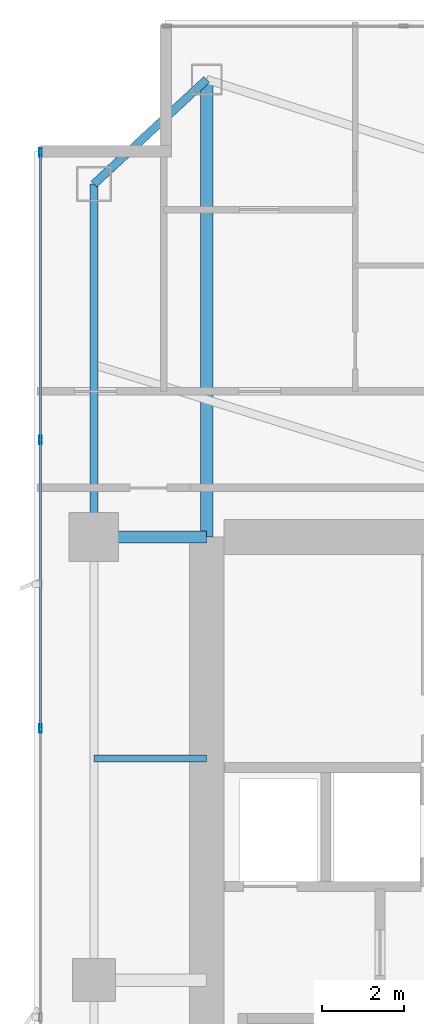
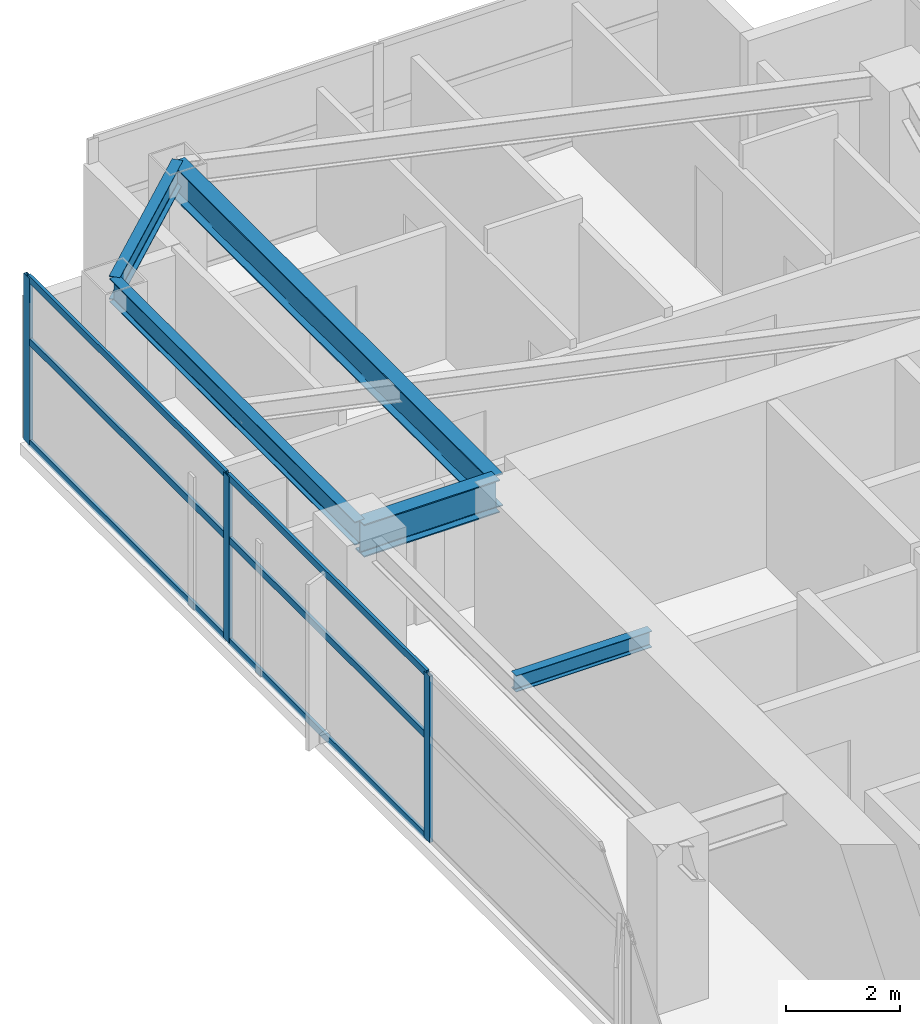
# One storey, part 16 of 29: 9 members, 5 beams, 1 element without a shape of its own.
"""IFC4 building model written with IfcOpenShell, lengths in metres."""

import ifcopenshell
import ifcopenshell.guid

model = None  # the IFC model being written
_history = None  # IfcOwnerHistory: only IFC2X3 demands one
_inside = {}  # id of a spatial element -> (the spatial element, [elements in it])
_under = {}  # id of a project, library or spatial element -> (it, [spatial elements below it])
_declared = {}  # id of a project -> (the project, [libraries it declares])
_typed = {}  # id of a type object -> (the type object, [elements of that type])
_made_of = {}  # id of a material, layer set ... -> (it, [elements and type objects made of it])


def new_model(schema):
    """Start an empty IFC model of exactly this schema.

    Asked for "IFC4X3", IfcOpenShell would pick the latest addendum, in which some entities
    have other attributes; the version numbers below select the first issue.
    IFC2X3 requires an IfcOwnerHistory on every rooted entity: one is made here for all.
    """
    global model, _history
    if schema == "IFC4X3":
        model = ifcopenshell.file(schema_version=(4, 3, 0, 0))
    else:
        model = ifcopenshell.file(schema=schema)
    _inside.clear()
    _under.clear()
    _declared.clear()
    _typed.clear()
    _made_of.clear()
    _history = None
    if model.schema == "IFC2X3":
        org = make("IfcOrganization", Name="unknown")
        user = make(
            "IfcPersonAndOrganization",
            ThePerson=make("IfcPerson", FamilyName="unknown"),
            TheOrganization=org,
        )
        app = make(
            "IfcApplication",
            ApplicationDeveloper=org,
            Version="unknown",
            ApplicationFullName="unknown",
            ApplicationIdentifier="unknown",
        )
        _history = make(
            "IfcOwnerHistory",
            OwningUser=user,
            OwningApplication=app,
            ChangeAction="ADDED",
            CreationDate=0,
        )
    return model


def make(cls, **values):
    """One entity of the class cls with the attributes given. An attribute that is None is left unset."""
    return model.create_entity(
        cls, **{name: value for name, value in values.items() if value is not None}
    )


def rooted(cls, **values):
    """An entity with a GlobalId (a new one), such as an element, a storey or a relation."""
    return make(cls, GlobalId=ifcopenshell.guid.new(), OwnerHistory=_history, **values)


def si_unit(unit_type, name, prefix=None):
    """IfcSIUnit, for example si_unit("LENGTHUNIT", "METRE", prefix="MILLI")."""
    return make("IfcSIUnit", UnitType=unit_type, Prefix=prefix, Name=name)


def assignment(units):
    """IfcUnitAssignment: the units of a project."""
    return None if units is None else make("IfcUnitAssignment", Units=units)


def point(xyz):
    """IfcCartesianPoint."""
    return None if xyz is None else make("IfcCartesianPoint", Coordinates=xyz)


def direction(xyz):
    """IfcDirection."""
    return None if xyz is None else make("IfcDirection", DirectionRatios=xyz)


def frame(location, z_axis=None, x_axis=None):
    """IfcAxis2Placement3D, a coordinate frame: its origin and axes. An axis left out is left unset."""
    return make(
        "IfcAxis2Placement3D",
        Location=point(location),
        Axis=direction(z_axis),
        RefDirection=direction(x_axis),
    )


def frame_2d(location, x_axis=None):
    """IfcAxis2Placement2D, a coordinate frame in the plane: its origin and x axis."""
    return make(
        "IfcAxis2Placement2D", Location=point(location), RefDirection=direction(x_axis)
    )


def origin():
    """The frame at (0, 0, 0) with its axes left unset."""
    return frame((0.0, 0.0, 0.0))


def origin_2d():
    """The frame at (0, 0) in the plane with its x axis left unset."""
    return frame_2d((0.0, 0.0))


def place(relative_to, where):
    """IfcLocalPlacement: puts the frame where relative to a parent placement (None: the world)."""
    return make(
        "IfcLocalPlacement", PlacementRelTo=relative_to, RelativePlacement=where
    )


def context(
    kind, dimensions, precision=None, world=None, true_north=None, identifier=None
):
    """IfcGeometricRepresentationContext, for example the 3D "Model" context."""
    return make(
        "IfcGeometricRepresentationContext",
        ContextIdentifier=identifier,
        ContextType=kind,
        CoordinateSpaceDimension=dimensions,
        Precision=precision,
        WorldCoordinateSystem=world,
        TrueNorth=true_north,
    )


def subcontext(parent, identifier, kind, view, scale=None):
    """IfcGeometricRepresentationSubContext, for example "Body" below "Model"."""
    return make(
        "IfcGeometricRepresentationSubContext",
        ContextIdentifier=identifier,
        ContextType=kind,
        ParentContext=parent,
        TargetScale=scale,
        TargetView=view,
    )


def project(units=None, contexts=None):
    """IfcProject with its units and contexts."""
    return rooted(
        "IfcProject",
        Name="project",
        RepresentationContexts=contexts,
        UnitsInContext=assignment(units),
    )


def spatial(cls, under=None, at=None, **own):
    """A site, building, storey or space (cls), placed at a placement, below another one or the project."""
    s = rooted(cls, ObjectPlacement=at, **own)
    if under is not None:
        _under.setdefault(under.id(), (under, []))[1].append(s)
    return s


def profile(cls, at=None, kind="AREA", **sizes):
    """A parametric profile (cls). Its sizes go by their IFC names, for example OverallWidth=200.0."""
    return make(cls, ProfileType=kind, Position=at, **sizes)


def hollow_rectangle(**sizes):
    """IfcRectangleHollowProfileDef."""
    return profile("IfcRectangleHollowProfileDef", **sizes)


def i_section(**sizes):
    """IfcIShapeProfileDef."""
    return profile("IfcIShapeProfileDef", **sizes)


def extrude(swept, where, along, depth):
    """IfcExtrudedAreaSolid: the profile swept, set in the frame where, extruded along a direction by depth."""
    return make(
        "IfcExtrudedAreaSolid",
        SweptArea=swept,
        Position=where,
        ExtrudedDirection=direction(along),
        Depth=depth,
    )


def shape(context_of_items, identifier, shape_type, items):
    """IfcShapeRepresentation: the items that make up one representation, for example the "Body"."""
    return make(
        "IfcShapeRepresentation",
        ContextOfItems=context_of_items,
        RepresentationIdentifier=identifier,
        RepresentationType=shape_type,
        Items=items,
    )


def material(Name=None, Category=None):
    """IfcMaterial."""
    return make("IfcMaterial", Name=Name, Category=Category)


def layer(
    of_material, thickness, ventilated=None, Name=None, Category=None, Priority=None
):
    """IfcMaterialLayer: one layer of a wall or slab, of a material (None: an air gap)."""
    return make(
        "IfcMaterialLayer",
        Material=of_material,
        LayerThickness=thickness,
        IsVentilated=ventilated,
        Name=Name,
        Category=Category,
        Priority=Priority,
    )


def layer_set(layers, Name=None):
    """IfcMaterialLayerSet."""
    return make("IfcMaterialLayerSet", MaterialLayers=layers, LayerSetName=Name)


def material_profile(
    of_material, cross_section, Name=None, Category=None, Priority=None
):
    """IfcMaterialProfile: a cross section and its material."""
    return make(
        "IfcMaterialProfile",
        Name=Name,
        Material=of_material,
        Profile=cross_section,
        Priority=Priority,
        Category=Category,
    )


def profile_set(profiles, Name=None, composite=None):
    """IfcMaterialProfileSet."""
    return make(
        "IfcMaterialProfileSet",
        Name=Name,
        MaterialProfiles=profiles,
        CompositeProfile=composite,
    )


def made_of(thing, what):
    """Note that an element or type object is made of a material, layer set ...; save() writes the relation."""
    if what is not None:
        _made_of.setdefault(what.id(), (what, []))[1].append(thing)
    return thing


def type_object(cls, material=None, **own):
    """A type object (cls), such as IfcWallType, which elements share."""
    return made_of(rooted(cls, **own), material)


def element(
    cls,
    number,
    at=None,
    inside=None,
    cuts=None,
    type_object=None,
    material=None,
    context=None,
    identifier="Body",
    shape_type=None,
    held_by="IfcProductDefinitionShape",
    body=None,
    shapes=None,
    **own,
):
    """One element of the class cls, such as IfcWall. Its Tag is "e" and its number.

    at: its placement. inside: the storey or other place that contains it. cuts: it is an
    opening in that element (IfcRelVoidsElement). A single representation is given by context,
    identifier, shape_type and body (its items); several are given by shapes. held_by: the class
    of the entity that holds the representations. save() writes the other relations.
    """
    e = rooted(cls, Tag="e%d" % number, ObjectPlacement=at, **own)
    if body is not None:
        shapes = [shape(context, identifier, shape_type, body)]
    if shapes is not None:
        e.Representation = make(held_by, Representations=shapes)
    if inside is not None:
        _inside.setdefault(inside.id(), (inside, []))[1].append(e)
    if cuts is not None:
        rooted(
            "IfcRelVoidsElement", RelatingBuildingElement=cuts, RelatedOpeningElement=e
        )
    if type_object is not None:
        _typed.setdefault(type_object.id(), (type_object, []))[1].append(e)
    return made_of(e, material)


def aggregate(whole, parts):
    """IfcRelAggregates: a whole, such as a stair, and the parts it consists of."""
    return rooted("IfcRelAggregates", RelatingObject=whole, RelatedObjects=parts)


def save(model, path):
    """Write the relations noted so far, then the file.

    IfcRelAggregates (storeys below a building ...), IfcRelContainedInSpatialStructure (elements
    in a storey), IfcRelDefinesByType, IfcRelAssociatesMaterial and IfcRelDeclares: one each for
    every whole, place, type object, material and project.
    """
    for whole, parts in _under.values():
        aggregate(whole, parts)
    for where, things in _inside.values():
        rooted(
            "IfcRelContainedInSpatialStructure",
            RelatedElements=things,
            RelatingStructure=where,
        )
    for kind, things in _typed.values():
        rooted("IfcRelDefinesByType", RelatedObjects=things, RelatingType=kind)
    for what, things in _made_of.values():
        rooted("IfcRelAssociatesMaterial", RelatedObjects=things, RelatingMaterial=what)
    for by, libraries in _declared.values():
        rooted("IfcRelDeclares", RelatingContext=by, RelatedDefinitions=libraries)
    model.write(path)


model = new_model("IFC4")

# Units and contexts
model_context = context("Model", 3, precision=1e-05, world=origin(), true_north=direction((0.0, 1.0)))
body_context = subcontext(model_context, "Body", "Model", "MODEL_VIEW")
ifc_project = project(units=[si_unit("LENGTHUNIT", "METRE"), si_unit("AREAUNIT", "SQUARE_METRE"), si_unit("VOLUMEUNIT", "CUBIC_METRE"), si_unit("PLANEANGLEUNIT", "RADIAN"), si_unit("MASSUNIT", "GRAM", prefix="KILO")], contexts=[model_context])

# Site, building, storey
site_placement = place(None, origin())
site = spatial("IfcSite", under=ifc_project, at=site_placement, CompositionType="ELEMENT")
building_placement = place(site_placement, origin())
building = spatial("IfcBuilding", under=site, at=building_placement, Name="Calvorn Quay Hotel", CompositionType="ELEMENT")
storey_placement = place(building_placement, frame((0.0, 0.0, 105.0)))
storey = spatial("IfcBuildingStorey", under=building, at=storey_placement, Name="L25", CompositionType="ELEMENT", Elevation=105.0)

# Beams
ifc_material_1 = material(Name="Steel Q390GJC", Category="steel")
ifc_material_profile_1 = material_profile(ifc_material_1, i_section(OverallWidth=0.300048828125, OverallDepth=0.699951171875, WebThickness=0.012939453125, FlangeThickness=0.02392578125, FilletRadius=0.02392578125, at=origin_2d()), Name="HN700x300x13x24")
ifc_profile_set_1 = profile_set([ifc_material_profile_1], Name="Steel Q390GJC")
beam_type_1 = type_object("IfcBeamType", Name="BM-GIRD-MAIN", PredefinedType="BEAM", material=ifc_profile_set_1)
beam_1_placement = place(storey_placement, frame((1.449951171875, 38.39990234375, 3.18994140625), z_axis=(1.0, 0.0, 0.0), x_axis=(0.0, 1.0, 0.0)))
element("IfcBeam", 1, at=beam_1_placement, inside=storey, type_object=beam_type_1, Name="Beam BG-L25-W3", PredefinedType="BEAM", context=body_context, shape_type="SweptSolid", body=[
    extrude(i_section(OverallWidth=0.300048828125, OverallDepth=0.699951171875, WebThickness=0.012939453125, FlangeThickness=0.02392578125, FilletRadius=0.02392578125, at=origin_2d()), origin(), (0.0, 0.0, 1.0), 2.75),
])
beam_2_placement = place(storey_placement, frame((4.199951171875, 49.550048828125, 3.18994140625), z_axis=(0.0, -1.0, 0.0), x_axis=(1.0, 0.0, 0.0)))
element("IfcBeam", 2, at=beam_2_placement, inside=storey, type_object=beam_type_1, Name="Beam BG-L25-W5", PredefinedType="BEAM", context=body_context, shape_type="SweptSolid", body=[
    extrude(i_section(OverallWidth=0.300048828125, OverallDepth=0.699951171875, WebThickness=0.012939453125, FlangeThickness=0.02392578125, FilletRadius=0.02392578125, at=origin_2d()), origin(), (0.0, 0.0, 1.0), 11.150146484375),
])
ifc_material_2 = material(Name="Steel Q355B", Category="steel")
ifc_material_profile_2 = material_profile(ifc_material_2, i_section(OverallWidth=0.175048828125, OverallDepth=0.35009765625, WebThickness=0.007080078125, FlangeThickness=0.010986328125, FilletRadius=0.013916015625, at=origin_2d()), Name="HN350x175x7x11")
ifc_profile_set_2 = profile_set([ifc_material_profile_2], Name="Steel Q355B")
beam_type_2 = type_object("IfcBeamType", Name="BM-JOIST-SEC", PredefinedType="JOIST", material=ifc_profile_set_2)
beam_3_placement = place(storey_placement, frame((1.449951171875, 33.0, 3.364990234375), z_axis=(1.0, 0.0, 0.0), x_axis=(0.0, 1.0, 0.0)))
element("IfcBeam", 3, at=beam_3_placement, inside=storey, type_object=beam_type_2, Name="Beam BJ-L25-W4", PredefinedType="JOIST", context=body_context, shape_type="SweptSolid", body=[
    extrude(i_section(OverallWidth=0.175048828125, OverallDepth=0.35009765625, WebThickness=0.007080078125, FlangeThickness=0.010986328125, FilletRadius=0.013916015625, at=origin_2d()), origin(), (0.0, 0.0, 1.0), 2.75),
])
ifc_material_3 = material(Name="Steel Q355B", Category="steel")
ifc_material_profile_3 = material_profile(ifc_material_3, i_section(OverallWidth=0.199951171875, OverallDepth=0.5, WebThickness=0.010009765625, FlangeThickness=0.01611328125, FilletRadius=0.01611328125, at=origin_2d()), Name="HN500x200x10x16")
ifc_profile_set_3 = profile_set([ifc_material_profile_3], Name="Steel Q355B")
beam_type_3 = type_object("IfcBeamType", Name="BM-SPANDREL-Z1", PredefinedType="SPANDREL", material=ifc_profile_set_3)
beam_4_placement = place(storey_placement, frame((1.449951171875, 38.39990234375, 3.2900390625), z_axis=(0.0, 1.0, 0.0), x_axis=(-1.0, 0.0, 0.0)))
element("IfcBeam", 4, at=beam_4_placement, inside=storey, type_object=beam_type_3, Name="Beam BSP-L25-W4", PredefinedType="SPANDREL", context=body_context, shape_type="SweptSolid", body=[
    extrude(i_section(OverallWidth=0.199951171875, OverallDepth=0.5, WebThickness=0.010009765625, FlangeThickness=0.01611328125, FilletRadius=0.01611328125, at=origin_2d()), origin(), (0.0, 0.0, 1.0), 8.60009765625),
])
beam_5_placement = place(storey_placement, frame((1.449951171875, 47.0, 3.2900390625), z_axis=(0.733261665538, 0.679946563969, 0.0), x_axis=(-0.679946563969, 0.733261665538, 0.0)))
element("IfcBeam", 5, at=beam_5_placement, inside=storey, type_object=beam_type_3, Name="Beam BSP-L25-W5", PredefinedType="SPANDREL", context=body_context, shape_type="SweptSolid", body=[
    extrude(i_section(OverallWidth=0.199951171875, OverallDepth=0.5, WebThickness=0.010009765625, FlangeThickness=0.01611328125, FilletRadius=0.01611328125, at=origin_2d()), origin(), (0.0, 0.0, 1.0), 3.75048828125),
])

# Curtain wall, members
ifc_material_4 = material(Name="Pale Anodised Aluminium and Low-E Glass", Category="aluminium")
ifc_layer = layer(ifc_material_4, 0.219970703125)
ifc_layer_set = layer_set([ifc_layer], Name="CW-SYS-Z2")
curtain_wall_type = type_object("IfcCurtainWallType", Name="CW-SYS-Z2", PredefinedType="NOTDEFINED", material=ifc_layer_set)
curtain_wall_placement = place(storey_placement, origin())
curtain_wall = element("IfcCurtainWall", 6, at=curtain_wall_placement, inside=storey, type_object=curtain_wall_type, Name="Tower West Curtain Wall (L25)", PredefinedType="NOTDEFINED")
ifc_material_5 = material(Name="Pale Anodised Aluminium 6063-T6", Category="aluminium")
ifc_material_profile_4 = material_profile(ifc_material_5, hollow_rectangle(XDim=0.070068359375, YDim=0.199951171875, WallThickness=0.00390625, at=origin_2d()), Name="ALU-M200x70x4")
ifc_profile_set_4 = profile_set([ifc_material_profile_4], Name="Pale Anodised Aluminium 6063-T6")
member_type_1 = type_object("IfcMemberType", Name="CW-SYS-Z2-MUL", PredefinedType="MULLION", material=ifc_profile_set_4)
member_1_placement = place(storey_placement, frame((0.14990234375, 33.7333984375, 0.0), z_axis=(0.0, 0.0, 1.0), x_axis=(-1.0, 0.0, 0.0)))
member_1 = element("IfcMember", 7, at=member_1_placement, type_object=member_type_1, Name="CW-L25-W mullion 5", PredefinedType="MULLION", context=body_context, shape_type="SweptSolid", body=[
    extrude(hollow_rectangle(XDim=0.070068359375, YDim=0.199951171875, WallThickness=0.00390625, at=origin_2d()), origin(), (0.0, 0.0, 1.0), 3.56005859375),
])
member_2_placement = place(storey_placement, frame((0.14990234375, 40.7666015625, 0.0), z_axis=(0.0, 0.0, 1.0), x_axis=(-1.0, 0.0, 0.0)))
member_2 = element("IfcMember", 8, at=member_2_placement, type_object=member_type_1, Name="CW-L25-W mullion 6", PredefinedType="MULLION", context=body_context, shape_type="SweptSolid", body=[
    extrude(hollow_rectangle(XDim=0.070068359375, YDim=0.199951171875, WallThickness=0.00390625, at=origin_2d()), origin(), (0.0, 0.0, 1.0), 3.56005859375),
])
member_3_placement = place(storey_placement, frame((0.14990234375, 47.77001953125, 0.0), z_axis=(0.0, 0.0, 1.0), x_axis=(-1.0, 0.0, 0.0)))
member_3 = element("IfcMember", 9, at=member_3_placement, type_object=member_type_1, Name="CW-L25-W mullion 7", PredefinedType="MULLION", context=body_context, shape_type="SweptSolid", body=[
    extrude(hollow_rectangle(XDim=0.070068359375, YDim=0.199951171875, WallThickness=0.00390625, at=origin_2d()), origin(), (0.0, 0.0, 1.0), 3.56005859375),
])
ifc_material_6 = material(Name="Pale Anodised Aluminium 6063-T6", Category="aluminium")
ifc_material_profile_5 = material_profile(ifc_material_6, hollow_rectangle(XDim=0.06005859375, YDim=0.14990234375, WallThickness=0.00341796875, at=origin_2d()), Name="ALU-T150x60x3.5")
ifc_profile_set_5 = profile_set([ifc_material_profile_5], Name="Pale Anodised Aluminium 6063-T6")
member_type_2 = type_object("IfcMemberType", Name="CW-SYS-Z2-TRN", PredefinedType="USERDEFINED", material=ifc_profile_set_5)
member_4_placement = place(storey_placement, frame((0.14990234375, 33.763427734375, 0.030029296875), z_axis=(0.0, 1.0, 0.0), x_axis=(-1.0, 0.0, 0.0)))
member_4 = element("IfcMember", 10, at=member_4_placement, type_object=member_type_2, Name="CW-L25-W transom 5.1", ObjectType="TRANSOM", PredefinedType="USERDEFINED", context=body_context, shape_type="SweptSolid", body=[
    extrude(hollow_rectangle(XDim=0.06005859375, YDim=0.14990234375, WallThickness=0.00341796875, at=origin_2d()), origin(), (0.0, 0.0, 1.0), 6.97314453125),
])
member_5_placement = place(storey_placement, frame((0.14990234375, 33.763427734375, 2.199951171875), z_axis=(0.0, 1.0, 0.0), x_axis=(-1.0, 0.0, 0.0)))
member_5 = element("IfcMember", 11, at=member_5_placement, type_object=member_type_2, Name="CW-L25-W transom 5.2", ObjectType="TRANSOM", PredefinedType="USERDEFINED", context=body_context, shape_type="SweptSolid", body=[
    extrude(hollow_rectangle(XDim=0.06005859375, YDim=0.14990234375, WallThickness=0.00341796875, at=origin_2d()), origin(), (0.0, 0.0, 1.0), 6.97314453125),
])
member_6_placement = place(storey_placement, frame((0.14990234375, 33.763427734375, 3.530029296875), z_axis=(0.0, 1.0, 0.0), x_axis=(-1.0, 0.0, 0.0)))
member_6 = element("IfcMember", 12, at=member_6_placement, type_object=member_type_2, Name="CW-L25-W transom 5.3", ObjectType="TRANSOM", PredefinedType="USERDEFINED", context=body_context, shape_type="SweptSolid", body=[
    extrude(hollow_rectangle(XDim=0.06005859375, YDim=0.14990234375, WallThickness=0.00341796875, at=origin_2d()), origin(), (0.0, 0.0, 1.0), 6.97314453125),
])
member_7_placement = place(storey_placement, frame((0.14990234375, 40.796630859375, 0.030029296875), z_axis=(0.0, 1.0, 0.0), x_axis=(-1.0, 0.0, 0.0)))
member_7 = element("IfcMember", 13, at=member_7_placement, type_object=member_type_2, Name="CW-L25-W transom 6.1", ObjectType="TRANSOM", PredefinedType="USERDEFINED", context=body_context, shape_type="SweptSolid", body=[
    extrude(hollow_rectangle(XDim=0.06005859375, YDim=0.14990234375, WallThickness=0.00341796875, at=origin_2d()), origin(), (0.0, 0.0, 1.0), 6.943359375),
])
member_8_placement = place(storey_placement, frame((0.14990234375, 40.796630859375, 2.199951171875), z_axis=(0.0, 1.0, 0.0), x_axis=(-1.0, 0.0, 0.0)))
member_8 = element("IfcMember", 14, at=member_8_placement, type_object=member_type_2, Name="CW-L25-W transom 6.2", ObjectType="TRANSOM", PredefinedType="USERDEFINED", context=body_context, shape_type="SweptSolid", body=[
    extrude(hollow_rectangle(XDim=0.06005859375, YDim=0.14990234375, WallThickness=0.00341796875, at=origin_2d()), origin(), (0.0, 0.0, 1.0), 6.943359375),
])
member_9_placement = place(storey_placement, frame((0.14990234375, 40.796630859375, 3.530029296875), z_axis=(0.0, 1.0, 0.0), x_axis=(-1.0, 0.0, 0.0)))
member_9 = element("IfcMember", 15, at=member_9_placement, type_object=member_type_2, Name="CW-L25-W transom 6.3", ObjectType="TRANSOM", PredefinedType="USERDEFINED", context=body_context, shape_type="SweptSolid", body=[
    extrude(hollow_rectangle(XDim=0.06005859375, YDim=0.14990234375, WallThickness=0.00341796875, at=origin_2d()), origin(), (0.0, 0.0, 1.0), 6.943359375),
])
aggregate(curtain_wall, [member_1, member_2, member_3, member_4, member_5, member_6, member_7, member_8, member_9])

save(model, "model.ifc")
